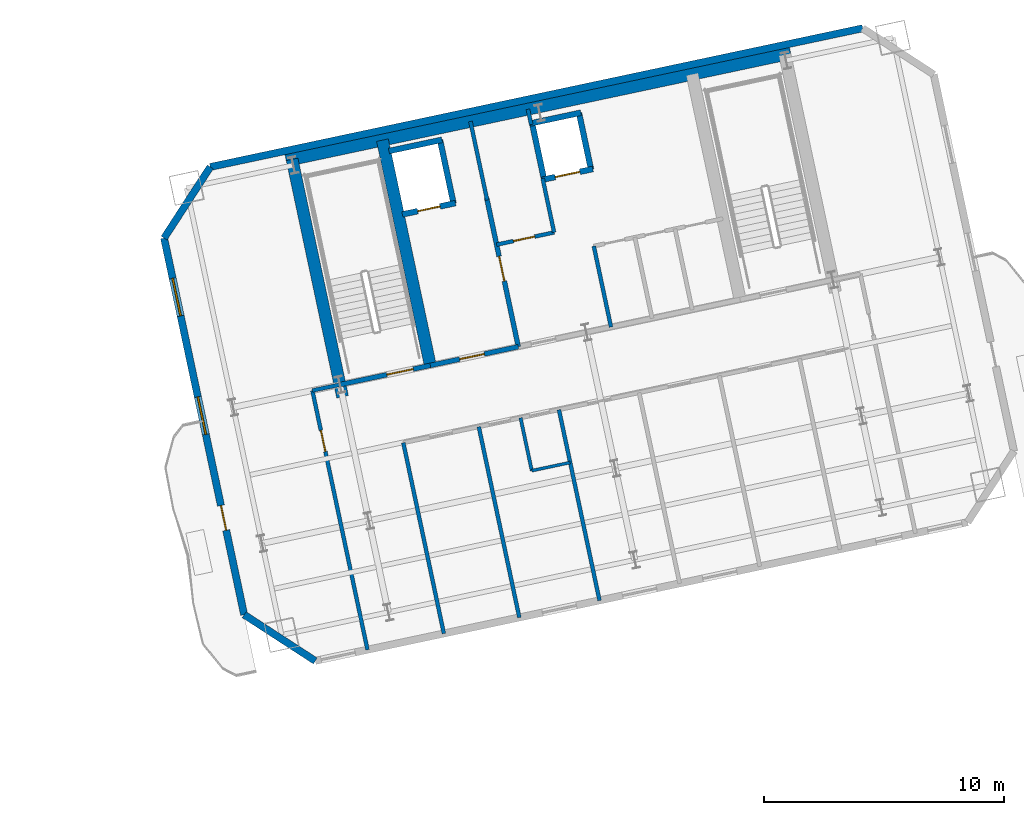
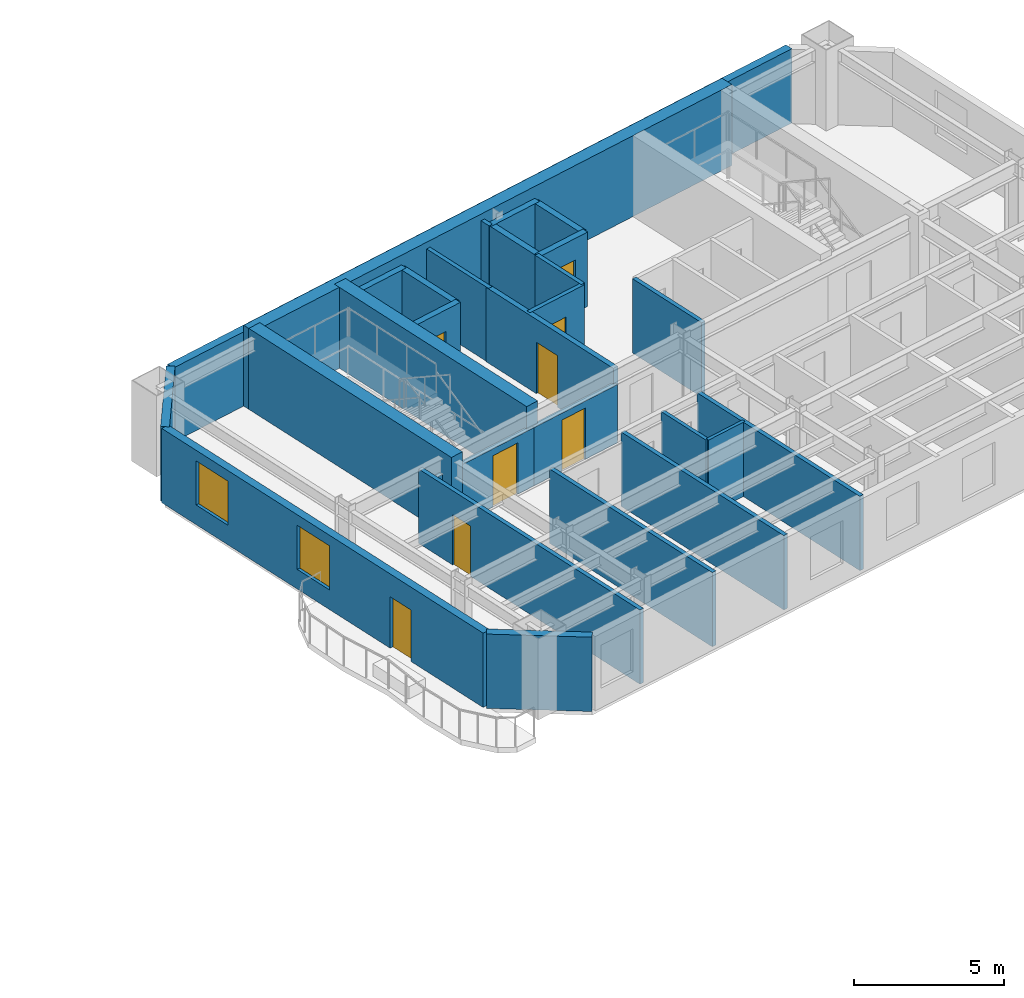
# One storey, part 7 of 13: 29 walls, 8 doors, 2 windows, 10 openings.
"""IFC4 building model written with IfcOpenShell, lengths in metres."""

from ifc_helpers import new_model, si_unit, direction, frame, frame_2d, origin, place, context, subcontext, project, spatial, rectangle, extrude, material, layer, layer_set, type_object, element, fill, save


model = new_model("IFC4")

# Units and contexts
model_context = context("Model", 3, precision=1e-05, world=origin(), true_north=direction((0.0, 1.0)))
body_context = subcontext(model_context, "Body", "Model", "MODEL_VIEW")
ifc_project = project(units=[si_unit("LENGTHUNIT", "METRE"), si_unit("AREAUNIT", "SQUARE_METRE"), si_unit("VOLUMEUNIT", "CUBIC_METRE"), si_unit("PLANEANGLEUNIT", "RADIAN"), si_unit("MASSUNIT", "GRAM", prefix="KILO")], contexts=[model_context])

# Site, building, storey
site_placement = place(None, origin())
site = spatial("IfcSite", under=ifc_project, at=site_placement, CompositionType="ELEMENT")
building_placement = place(site_placement, origin())
building = spatial("IfcBuilding", under=site, at=building_placement, Name="Haevon Station Towers", CompositionType="ELEMENT")
storey_placement = place(building_placement, frame((0.0, 0.0, 149.39990234375)))
storey = spatial("IfcBuildingStorey", under=building, at=storey_placement, Name="L40", CompositionType="ELEMENT", Elevation=149.39990234375)

# Wall, opening, door
ifc_material_1 = material(Name="Gypsum board on steel stud", Category="steel")
ifc_layer_1 = layer(ifc_material_1, 0.199951171875)
ifc_layer_set_1 = layer_set([ifc_layer_1], Name="Gypsum board on steel stud")
wall_type_1 = type_object("IfcWallType", Name="WL-COR200", PredefinedType="PARTITIONING", material=ifc_layer_set_1)
wall_1_placement = place(storey_placement, frame((98.75244140625, 37.4423828125, 0.0), z_axis=(0.0, 0.0, 1.0), x_axis=(0.978143537786, 0.207930804564, 0.0)))
wall_1 = element("IfcWall", 1, at=wall_1_placement, inside=storey, type_object=wall_type_1, Name="WL-ST-ST3-L40", PredefinedType="PARTITIONING", context=body_context, shape_type="SweptSolid", body=[
    extrude(rectangle(XDim=3.85009765625, YDim=0.199951171875, at=frame_2d((1.925048828125, 0.0))), origin(), (0.0, 0.0, 1.0), 2.380126953125),
])
opening_1_placement = place(wall_1_placement, frame((2.0, 0.0, 0.0)))
opening_1 = element("IfcOpeningElement", 2, at=opening_1_placement, cuts=wall_1, Name="Opening DR-ST-ST3-L40", PredefinedType="OPENING", context=body_context, shape_type="SweptSolid", body=[
    extrude(rectangle(XDim=1.1201171875, YDim=2.10009765625, at=frame_2d((0.56005859375, 1.050048828125))), frame((0.0, 0.10986328125, 0.0), z_axis=(0.0, -1.0, 0.0), x_axis=(1.0, 0.0, 0.0)), (0.0, 0.0, 1.0), 0.219970703125),
])
ifc_material_2 = material(Name="Engineered oak timber", Category="wood")
door_type_1 = type_object("IfcDoorType", Name="DR-ST-1120", OperationType="NOTDEFINED", PredefinedType="DOOR", material=ifc_material_2)
door_1_placement = place(opening_1_placement, origin())
door_1 = element("IfcDoor", 3, at=door_1_placement, inside=storey, type_object=door_type_1, Name="L40 Escape Stair ST3 Fire Door", OperationType="SINGLE_SWING_LEFT", OverallHeight=2.10009765625, OverallWidth=1.1201171875, PredefinedType="DOOR", context=body_context, shape_type="SweptSolid", body=[
    extrude(rectangle(XDim=1.1201171875, YDim=2.10009765625, at=frame_2d((0.56005859375, 1.050048828125))), frame((0.0, 0.02490234375, 0.0), z_axis=(0.0, -1.0, 0.0), x_axis=(1.0, 0.0, 0.0)), (0.0, 0.0, 1.0), 0.050048828125),
])
fill(opening_1, door_1)

wall_2_placement = place(storey_placement, frame((106.186279296875, 39.0224609375, 0.0), z_axis=(0.0, 0.0, 1.0), x_axis=(-0.207916691923, 0.978146537703, 0.0)))
wall_2 = element("IfcWall", 4, at=wall_2_placement, inside=storey, type_object=wall_type_1, Name="WL-T2FFL-L40-E", PredefinedType="PARTITIONING", context=body_context, shape_type="SweptSolid", body=[
    extrude(rectangle(XDim=6.35009765625, YDim=0.199951171875, at=frame_2d((3.175048828125, 0.0))), origin(), (0.0, 0.0, 1.0), 3.030029296875),
])
opening_2_placement = place(wall_2_placement, frame((2.800048828125, 0.0, 0.0)))
opening_2 = element("IfcOpeningElement", 5, at=opening_2_placement, cuts=wall_2, Name="Opening DR-T2FFL-L40-E", PredefinedType="OPENING", context=body_context, shape_type="SweptSolid", body=[
    extrude(rectangle(XDim=1.050048828125, YDim=2.10009765625, at=frame_2d((0.52490234375, 1.050048828125))), frame((0.0, 0.10986328125, 0.0), z_axis=(0.0, -1.0, 0.0), x_axis=(1.0, 0.0, 0.0)), (0.0, 0.0, 1.0), 0.219970703125),
])
door_type_2 = type_object("IfcDoorType", Name="DR-FD60-1050", OperationType="NOTDEFINED", PredefinedType="DOOR", material=ifc_material_2)
door_2_placement = place(opening_2_placement, origin())
door_2 = element("IfcDoor", 6, at=door_2_placement, inside=storey, type_object=door_type_2, Name="L40 Tower 2 Firefighting Lift Lobby Door E", OperationType="SINGLE_SWING_LEFT", OverallHeight=2.10009765625, OverallWidth=1.050048828125, PredefinedType="DOOR", context=body_context, shape_type="SweptSolid", body=[
    extrude(rectangle(XDim=1.050048828125, YDim=2.10009765625, at=frame_2d((0.52490234375, 1.050048828125))), frame((0.0, 0.02490234375, 0.0), z_axis=(0.0, -1.0, 0.0), x_axis=(1.0, 0.0, 0.0)), (0.0, 0.0, 1.0), 0.050048828125),
])
fill(opening_2, door_2)

wall_3_placement = place(storey_placement, frame((102.518310546875, 38.242919921875, 0.0), z_axis=(0.0, 0.0, 1.0), x_axis=(0.978153555683, 0.20788367301, 0.0)))
wall_3 = element("IfcWall", 7, at=wall_3_placement, inside=storey, type_object=wall_type_1, Name="WL-T2FFL-L40-S", PredefinedType="PARTITIONING", context=body_context, shape_type="SweptSolid", body=[
    extrude(rectangle(XDim=3.75, YDim=0.199951171875, at=frame_2d((1.875, 0.0))), origin(), (0.0, 0.0, 1.0), 2.380126953125),
])
opening_3_placement = place(wall_3_placement, frame((1.25, 0.0, 0.0)))
opening_3 = element("IfcOpeningElement", 8, at=opening_3_placement, cuts=wall_3, Name="Opening DR-T2FFL-L40-S", PredefinedType="OPENING", context=body_context, shape_type="SweptSolid", body=[
    extrude(rectangle(XDim=1.050048828125, YDim=2.10009765625, at=frame_2d((0.52490234375, 1.050048828125))), frame((0.0, 0.10986328125, 0.0), z_axis=(0.0, -1.0, 0.0), x_axis=(1.0, 0.0, 0.0)), (0.0, 0.0, 1.0), 0.219970703125),
])
door_3_placement = place(opening_3_placement, origin())
door_3 = element("IfcDoor", 9, at=door_3_placement, inside=storey, type_object=door_type_2, Name="L40 Tower 2 Firefighting Lift Lobby Door S", OperationType="SINGLE_SWING_RIGHT", OverallHeight=2.10009765625, OverallWidth=1.050048828125, PredefinedType="DOOR", context=body_context, shape_type="SweptSolid", body=[
    extrude(rectangle(XDim=1.050048828125, YDim=2.10009765625, at=frame_2d((0.52490234375, 1.050048828125))), frame((0.0, 0.02490234375, 0.0), z_axis=(0.0, -1.0, 0.0), x_axis=(1.0, 0.0, 0.0)), (0.0, 0.0, 1.0), 0.050048828125),
])
fill(opening_3, door_3)

# Walls
ifc_material_3 = material(Name="Concrete C60/75", Category="concrete")
ifc_layer_2 = layer(ifc_material_3, 0.5)
ifc_layer_set_2 = layer_set([ifc_layer_2], Name="Concrete C60/75")
wall_type_2 = type_object("IfcWallType", Name="WL-CR500", PredefinedType="SHEAR", material=ifc_layer_set_2)
wall_4_placement = place(storey_placement, frame((96.511962890625, 46.78076171875, 0.0), z_axis=(0.0, 0.0, 1.0), x_axis=(0.978148546782, 0.207907239961, 0.0)))
element("IfcWall", 10, at=wall_4_placement, inside=storey, type_object=wall_type_2, Name="WL-T2CR-L40-N", PredefinedType="SHEAR", context=body_context, shape_type="SweptSolid", body=[
    extrude(rectangle(XDim=21.499755859375, YDim=0.5, at=frame_2d((10.75, 0.0))), origin(), (0.0, 0.0, 1.0), 3.300048828125),
])
wall_5_placement = place(storey_placement, frame((98.8603515625, 36.933837890625, 0.0), z_axis=(0.0, 0.0, 1.0), x_axis=(-0.20790924889, 0.978148119778, 0.0)))
element("IfcWall", 11, at=wall_5_placement, inside=storey, type_object=wall_type_2, Name="WL-T2CR-L40-W", PredefinedType="SHEAR", context=body_context, shape_type="SweptSolid", body=[
    extrude(rectangle(XDim=10.119873046875, YDim=0.5, at=frame_2d((5.06005859375, 0.0))), origin(), (0.0, 0.0, 1.0), 3.300048828125),
])
wall_6_placement = place(storey_placement, frame((102.518310546875, 38.242919921875, 0.0), z_axis=(0.0, 0.0, 1.0), x_axis=(-0.207927495108, 0.978144241295, 0.0)))
element("IfcWall", 12, at=wall_6_placement, inside=storey, type_object=wall_type_2, Name="WL-T2CR-L40-M1", PredefinedType="SHEAR", context=body_context, shape_type="SweptSolid", body=[
    extrude(rectangle(XDim=9.599853515625, YDim=0.5, at=frame_2d((4.7998046875, 0.0))), origin(), (0.0, 0.0, 1.0), 3.300048828125),
])
ifc_material_4 = material(Name="Precast concrete C45/55", Category="concrete")
ifc_layer_3 = layer(ifc_material_4, 0.300048828125)
ifc_layer_set_3 = layer_set([ifc_layer_3], Name="Precast concrete C45/55")
wall_type_3 = type_object("IfcWallType", Name="WL-EXT-PIER300", PredefinedType="SOLIDWALL", material=ifc_layer_set_3)
wall_7_placement = place(storey_placement, frame((97.72412109375, 25.927001953125, 0.0), z_axis=(0.0, 0.0, 1.0), x_axis=(-0.838672309694, 0.544636352948, 0.0)))
element("IfcWall", 13, at=wall_7_placement, inside=storey, type_object=wall_type_3, Name="WL-T2-L40-SWC", PredefinedType="SOLIDWALL", context=body_context, shape_type="SweptSolid", body=[
    extrude(rectangle(XDim=3.535400390625, YDim=0.300048828125, at=frame_2d((1.767578125, 0.0))), origin(), (0.0, 0.0, 1.0), 3.030029296875),
])

# Wall, openings, door, windows
wall_8_placement = place(storey_placement, frame((94.759033203125, 27.8525390625, 0.0), z_axis=(0.0, 0.0, 1.0), x_axis=(-0.207922793235, 0.978145240776, 0.0)))
wall_8 = element("IfcWall", 14, at=wall_8_placement, inside=storey, type_object=wall_type_3, Name="WL-T2-L40-W", PredefinedType="SOLIDWALL", context=body_context, shape_type="SweptSolid", body=[
    extrude(rectangle(XDim=16.050048828125, YDim=0.300048828125, at=frame_2d((8.02490234375, 0.0))), origin(), (0.0, 0.0, 1.0), 3.030029296875),
])
opening_4_placement = place(wall_8_placement, frame((3.60009765625, 0.0, 0.0)))
opening_4 = element("IfcOpeningElement", 15, at=opening_4_placement, cuts=wall_8, Name="Opening DR-T2-SCAL-L40-W", PredefinedType="OPENING", context=body_context, shape_type="SweptSolid", body=[
    extrude(rectangle(XDim=1.050048828125, YDim=2.10009765625, at=frame_2d((0.52490234375, 1.050048828125))), frame((0.0, 0.159912109375, 0.0), z_axis=(0.0, -1.0, 0.0), x_axis=(1.0, 0.0, 0.0)), (0.0, 0.0, 1.0), 0.320068359375),
])
opening_5_placement = place(wall_8_placement, frame((7.683837890625, 0.0, 0.800048828125)))
opening_5 = element("IfcOpeningElement", 16, at=opening_5_placement, cuts=wall_8, Name="Opening WN-END160", PredefinedType="OPENING", context=body_context, shape_type="SweptSolid", body=[
    extrude(rectangle(XDim=1.60009765625, YDim=1.800048828125, at=frame_2d((0.800048828125, 0.89990234375))), frame((0.0, 0.159912109375, 0.0), z_axis=(0.0, -1.0, 0.0), x_axis=(1.0, 0.0, 0.0)), (0.0, 0.0, 1.0), 0.320068359375),
])
opening_6_placement = place(wall_8_placement, frame((12.732177734375, 0.0, 0.800048828125)))
opening_6 = element("IfcOpeningElement", 17, at=opening_6_placement, cuts=wall_8, Name="Opening WN-END160", PredefinedType="OPENING", context=body_context, shape_type="SweptSolid", body=[
    extrude(rectangle(XDim=1.60009765625, YDim=1.800048828125, at=frame_2d((0.800048828125, 0.89990234375))), frame((0.0, 0.159912109375, 0.0), z_axis=(0.0, -1.0, 0.0), x_axis=(1.0, 0.0, 0.0)), (0.0, 0.0, 1.0), 0.320068359375),
])
ifc_material_5 = material(Name="Thermally broken anodised aluminium and laminated safety glass", Category="aluminium")
door_type_3 = type_object("IfcDoorType", Name="DR-BALC-1050", OperationType="NOTDEFINED", PredefinedType="DOOR", material=ifc_material_5)
door_4_placement = place(opening_4_placement, origin())
door_4 = element("IfcDoor", 18, at=door_4_placement, inside=storey, type_object=door_type_3, Name="Tower 2 L40 West Scalloped Balcony Door", OperationType="SINGLE_SWING_LEFT", OverallHeight=2.10009765625, OverallWidth=1.050048828125, PredefinedType="DOOR", context=body_context, shape_type="SweptSolid", body=[
    extrude(rectangle(XDim=1.050048828125, YDim=2.10009765625, at=frame_2d((0.52490234375, 1.050048828125))), frame((0.0, 0.02490234375, 0.0), z_axis=(0.0, -1.0, 0.0), x_axis=(1.0, 0.0, 0.0)), (0.0, 0.0, 1.0), 0.050048828125),
])
fill(opening_4, door_4)
ifc_material_6 = material(Name="Low-E triple glazing in thermally broken aluminium", Category="aluminium")
window_type = type_object("IfcWindowType", Name="WN-END160", PartitioningType="SINGLE_PANEL", PredefinedType="WINDOW", material=ifc_material_6)
window_1_placement = place(opening_5_placement, origin())
window_1 = element("IfcWindow", 19, at=window_1_placement, inside=storey, type_object=window_type, Name="WN-T2-L40-W01", OverallHeight=1.800048828125, OverallWidth=1.60009765625, PartitioningType="SINGLE_PANEL", PredefinedType="WINDOW", context=body_context, shape_type="SweptSolid", body=[
    extrude(rectangle(XDim=1.60009765625, YDim=1.800048828125, at=frame_2d((0.800048828125, 0.89990234375))), frame((0.0, 0.030029296875, 0.0), z_axis=(0.0, -1.0, 0.0), x_axis=(1.0, 0.0, 0.0)), (0.0, 0.0, 1.0), 0.06005859375),
])
fill(opening_5, window_1)
window_2_placement = place(opening_6_placement, origin())
window_2 = element("IfcWindow", 20, at=window_2_placement, inside=storey, type_object=window_type, Name="WN-T2-L40-W02", OverallHeight=1.800048828125, OverallWidth=1.60009765625, PartitioningType="SINGLE_PANEL", PredefinedType="WINDOW", context=body_context, shape_type="SweptSolid", body=[
    extrude(rectangle(XDim=1.60009765625, YDim=1.800048828125, at=frame_2d((0.800048828125, 0.89990234375))), frame((0.0, 0.030029296875, 0.0), z_axis=(0.0, -1.0, 0.0), x_axis=(1.0, 0.0, 0.0)), (0.0, 0.0, 1.0), 0.06005859375),
])
fill(opening_6, window_2)

# Walls
wall_9_placement = place(storey_placement, frame((91.421875, 43.5517578125, 0.0), z_axis=(0.0, 0.0, 1.0), x_axis=(0.544604812064, 0.838692791597, 0.0)))
element("IfcWall", 21, at=wall_9_placement, inside=storey, type_object=wall_type_3, Name="WL-T2-L40-NWC", PredefinedType="SOLIDWALL", context=body_context, shape_type="SweptSolid", body=[
    extrude(rectangle(XDim=3.53564453125, YDim=0.300048828125, at=frame_2d((1.767822265625, 0.0))), origin(), (0.0, 0.0, 1.0), 3.030029296875),
])
wall_10_placement = place(storey_placement, frame((93.347412109375, 46.51708984375, 0.0), z_axis=(0.0, 0.0, 1.0), x_axis=(0.978148962338, 0.207905284872, 0.0)))
element("IfcWall", 22, at=wall_10_placement, inside=storey, type_object=wall_type_3, Name="WL-T2-L40-N", PredefinedType="SOLIDWALL", context=body_context, shape_type="SweptSolid", body=[
    extrude(rectangle(XDim=27.800048828125, YDim=0.300048828125, at=frame_2d((13.89990234375, 0.0))), origin(), (0.0, 0.0, 1.0), 3.030029296875),
])
ifc_layer_4 = layer(ifc_material_1, 0.125)
ifc_layer_set_4 = layer_set([ifc_layer_4], Name="Gypsum board on steel stud")
wall_type_4 = type_object("IfcWallType", Name="WL-PRT125", PredefinedType="PARTITIONING", material=ifc_layer_set_4)
wall_11_placement = place(storey_placement, frame((106.747802734375, 33.8564453125, 0.0), z_axis=(0.0, 0.0, 1.0), x_axis=(0.978156954636, 0.207867679299, 0.0)))
element("IfcWall", 23, at=wall_11_placement, inside=storey, type_object=wall_type_4, Name="WL-T2PT-L40-07", PredefinedType="PARTITIONING", context=body_context, shape_type="SweptSolid", body=[
    extrude(rectangle(XDim=1.635986328125, YDim=0.125, at=frame_2d((0.81787109375, 0.0))), origin(), (0.0, 0.0, 1.0), 3.030029296875),
])
ifc_layer_5 = layer(ifc_material_1, 0.139892578125)
ifc_layer_set_5 = layer_set([ifc_layer_5], Name="Gypsum board on steel stud")
wall_type_5 = type_object("IfcWallType", Name="WL-PRT140", PredefinedType="PARTITIONING", material=ifc_layer_set_5)
wall_12_placement = place(storey_placement, frame((106.747802734375, 33.8564453125, 0.0), z_axis=(0.0, 0.0, 1.0), x_axis=(-0.207913264065, 0.978147266328, 0.0)))
element("IfcWall", 24, at=wall_12_placement, inside=storey, type_object=wall_type_5, Name="WL-T2PT-L40-08", PredefinedType="PARTITIONING", context=body_context, shape_type="SweptSolid", body=[
    extrude(rectangle(XDim=2.249755859375, YDim=0.139892578125, at=frame_2d((1.125, 0.0))), origin(), (0.0, 0.0, 1.0), 3.030029296875),
])
ifc_layer_6 = layer(ifc_material_1, 0.159912109375)
ifc_layer_set_6 = layer_set([ifc_layer_6], Name="Gypsum board on steel stud")
wall_type_6 = type_object("IfcWallType", Name="WL-PRT160", PredefinedType="PARTITIONING", material=ifc_layer_set_6)
wall_13_placement = place(storey_placement, frame((104.88671875, 45.135986328125, 0.0), z_axis=(0.0, 0.0, 1.0), x_axis=(-0.207846553267, 0.978161443881, 0.0)))
element("IfcWall", 25, at=wall_13_placement, inside=storey, type_object=wall_type_6, Name="WL-T2CW-L40-01", PredefinedType="PARTITIONING", context=body_context, shape_type="SweptSolid", body=[
    extrude(rectangle(XDim=3.35009765625, YDim=0.159912109375, at=frame_2d((1.675048828125, 0.0))), origin(), (0.0, 0.0, 1.0), 3.030029296875),
])

# Wall, opening, door
wall_14_placement = place(storey_placement, frame((105.28173828125, 43.277587890625, 0.0), z_axis=(0.0, 0.0, 1.0), x_axis=(0.978156824814, 0.207868290196, 0.0)))
wall_14 = element("IfcWall", 26, at=wall_14_placement, inside=storey, type_object=wall_type_6, Name="WL-T2CW-L40-02", PredefinedType="PARTITIONING", context=body_context, shape_type="SweptSolid", body=[
    extrude(rectangle(XDim=2.449951171875, YDim=0.159912109375, at=frame_2d((1.22509765625, 0.0))), origin(), (0.0, 0.0, 1.0), 3.030029296875),
])
opening_7_placement = place(wall_14_placement, frame((0.719970703125, 0.0, 0.0)))
opening_7 = element("IfcOpeningElement", 27, at=opening_7_placement, cuts=wall_14, Name="Opening DR-WL-T2CW-L40-02-1", PredefinedType="OPENING", context=body_context, shape_type="SweptSolid", body=[
    extrude(rectangle(XDim=0.89990234375, YDim=2.10009765625, at=frame_2d((0.449951171875, 1.050048828125))), frame((0.0, 0.08984375, 0.0), z_axis=(0.0, -1.0, 0.0), x_axis=(1.0, 0.0, 0.0)), (0.0, 0.0, 1.0), 0.179931640625),
])
door_type_4 = type_object("IfcDoorType", Name="DR-FD60-900", OperationType="NOTDEFINED", PredefinedType="DOOR", material=ifc_material_2)
door_5_placement = place(opening_7_placement, origin())
door_5 = element("IfcDoor", 28, at=door_5_placement, inside=storey, type_object=door_type_4, Name="L40 Tower 2 Core Room Door 2-1", OperationType="SINGLE_SWING_LEFT", OverallHeight=2.10009765625, OverallWidth=0.89990234375, PredefinedType="DOOR", context=body_context, shape_type="SweptSolid", body=[
    extrude(rectangle(XDim=0.89990234375, YDim=2.10009765625, at=frame_2d((0.449951171875, 1.050048828125))), frame((0.0, 0.02490234375, 0.0), z_axis=(0.0, -1.0, 0.0), x_axis=(1.0, 0.0, 0.0)), (0.0, 0.0, 1.0), 0.050048828125),
])
fill(opening_7, door_5)

# Walls
wall_15_placement = place(storey_placement, frame((107.67822265625, 43.786865234375, 0.0), z_axis=(0.0, 0.0, 1.0), x_axis=(-0.207839712757, 0.978162897375, 0.0)))
element("IfcWall", 29, at=wall_15_placement, inside=storey, type_object=wall_type_6, Name="WL-T2CW-L40-03", PredefinedType="PARTITIONING", context=body_context, shape_type="SweptSolid", body=[
    extrude(rectangle(XDim=2.300048828125, YDim=0.159912109375, at=frame_2d((1.14990234375, 0.0))), origin(), (0.0, 0.0, 1.0), 3.030029296875),
])
wall_16_placement = place(storey_placement, frame((106.721923828125, 48.286376953125, 0.0), z_axis=(0.0, 0.0, 1.0), x_axis=(-0.208092352933, 0.978109182377, 0.0)))
element("IfcWall", 30, at=wall_16_placement, inside=storey, type_object=wall_type_6, Name="WL-T2CW-L40-04", PredefinedType="PARTITIONING", context=body_context, shape_type="SweptSolid", body=[
    extrude(rectangle(XDim=0.64990234375, YDim=0.159912109375, at=frame_2d((0.324951171875, 0.0))), origin(), (0.0, 0.0, 1.0), 3.030029296875),
])
wall_17_placement = place(storey_placement, frame((110.050048828125, 39.84375, 0.0), z_axis=(0.0, 0.0, 1.0), x_axis=(-0.207900225061, 0.978150037785, 0.0)))
element("IfcWall", 31, at=wall_17_placement, inside=storey, type_object=wall_type_6, Name="WL-T2CW-L40-05", PredefinedType="PARTITIONING", context=body_context, shape_type="SweptSolid", body=[
    extrude(rectangle(XDim=3.4501953125, YDim=0.159912109375, at=frame_2d((1.72509765625, 0.0))), origin(), (0.0, 0.0, 1.0), 3.030029296875),
])
wall_18_placement = place(storey_placement, frame((103.084228515625, 27.06640625, 0.0), z_axis=(0.0, 0.0, 1.0), x_axis=(-0.20790041837, 0.978149996699, 0.0)))
element("IfcWall", 32, at=wall_18_placement, inside=storey, type_object=wall_type_6, Name="WL-T2PT-L40-01", PredefinedType="PARTITIONING", context=body_context, shape_type="SweptSolid", body=[
    extrude(rectangle(XDim=8.1298828125, YDim=0.159912109375, at=frame_2d((4.06494140625, 0.0))), origin(), (0.0, 0.0, 1.0), 3.030029296875),
])
wall_19_placement = place(storey_placement, frame((97.60302734375, 37.197998046875, 0.0), z_axis=(0.0, 0.0, 1.0), x_axis=(0.978135611929, 0.207968085714, 0.0)))
element("IfcWall", 33, at=wall_19_placement, inside=storey, type_object=wall_type_6, Name="WL-T2PT-L40-02", PredefinedType="PARTITIONING", context=body_context, shape_type="SweptSolid", body=[
    extrude(rectangle(XDim=1.175048828125, YDim=0.159912109375, at=frame_2d((0.58740234375, 0.0))), origin(), (0.0, 0.0, 1.0), 2.380126953125),
])

# Wall, opening, door
wall_20_placement = place(storey_placement, frame((99.900390625, 26.3896484375, 0.0), z_axis=(0.0, 0.0, 1.0), x_axis=(-0.207909755675, 0.978148012059, 0.0)))
wall_20 = element("IfcWall", 34, at=wall_20_placement, inside=storey, type_object=wall_type_6, Name="WL-T2PT-L40-04", PredefinedType="PARTITIONING", context=body_context, shape_type="SweptSolid", body=[
    extrude(rectangle(XDim=11.0498046875, YDim=0.159912109375, at=frame_2d((5.52490234375, 0.0))), origin(), (0.0, 0.0, 1.0), 3.030029296875),
])
opening_8_placement = place(wall_20_placement, frame((8.449951171875, 0.0, 0.0)))
opening_8 = element("IfcOpeningElement", 35, at=opening_8_placement, cuts=wall_20, Name="Opening DR-WL-T2PT-L40-04-01", PredefinedType="OPENING", context=body_context, shape_type="SweptSolid", body=[
    extrude(rectangle(XDim=0.89990234375, YDim=2.050048828125, at=frame_2d((0.449951171875, 1.02490234375))), frame((0.0, 0.08984375, 0.0), z_axis=(0.0, -1.0, 0.0), x_axis=(1.0, 0.0, 0.0)), (0.0, 0.0, 1.0), 0.179931640625),
])
door_type_5 = type_object("IfcDoorType", Name="DR-INT-900", OperationType="NOTDEFINED", PredefinedType="DOOR", material=ifc_material_2)
door_6_placement = place(opening_8_placement, origin())
door_6 = element("IfcDoor", 36, at=door_6_placement, inside=storey, type_object=door_type_5, Name="L40 Tower 2 Room Door 4-1", OperationType="SINGLE_SWING_LEFT", OverallHeight=2.050048828125, OverallWidth=0.89990234375, PredefinedType="DOOR", context=body_context, shape_type="SweptSolid", body=[
    extrude(rectangle(XDim=0.89990234375, YDim=2.050048828125, at=frame_2d((0.449951171875, 1.02490234375))), frame((0.0, 0.02490234375, 0.0), z_axis=(0.0, -1.0, 0.0), x_axis=(1.0, 0.0, 0.0)), (0.0, 0.0, 1.0), 0.050048828125),
])
fill(opening_8, door_6)

# Walls
for number, where, z_axis, x_axis, name in (
    (37, (106.229248046875, 27.73486328125, 0.0), (0.0, 0.0, 1.0), (-0.207923042997, 0.978145187685, 0.0), "WL-T2PT-L40-06"),
    (38, (109.57080078125, 28.445068359375, 0.0), (0.0, 0.0, 1.0), (-0.207923042997, 0.978145187685, 0.0), "WL-T2PT-L40-09"),
):
    element("IfcWall", number, at=place(storey_placement, frame(where, z_axis=z_axis, x_axis=x_axis)), inside=storey, type_object=wall_type_6, Name=name, PredefinedType="PARTITIONING", context=body_context, shape_type="SweptSolid", body=[
        extrude(rectangle(XDim=8.130126953125, YDim=0.159912109375, at=frame_2d((4.06494140625, 0.0))), origin(), (0.0, 0.0, 1.0), 3.030029296875),
    ])

# Wall, opening, door
ifc_material_7 = material(Name="Concrete C40/50", Category="concrete")
ifc_layer_7 = layer(ifc_material_7, 0.239990234375)
ifc_layer_set_7 = layer_set([ifc_layer_7], Name="Concrete C40/50")
wall_type_7 = type_object("IfcWallType", Name="WL-SHF240", PredefinedType="PARTITIONING", material=ifc_layer_set_7)
wall_21_placement = place(storey_placement, frame((101.353759765625, 44.538330078125, 0.0), z_axis=(0.0, 0.0, 1.0), x_axis=(0.978141002414, 0.207942731049, 0.0)))
wall_21 = element("IfcWall", 39, at=wall_21_placement, inside=storey, type_object=wall_type_7, Name="WL-SHF-FL2-L40", PredefinedType="PARTITIONING", context=body_context, shape_type="SweptSolid", body=[
    extrude(rectangle(XDim=2.260009765625, YDim=0.239990234375, at=frame_2d((1.1298828125, 0.0))), origin(), (0.0, 0.0, 1.0), 3.030029296875),
])
opening_9_placement = place(wall_21_placement, frame((0.655029296875, 0.0, 0.0)))
opening_9 = element("IfcOpeningElement", 40, at=opening_9_placement, cuts=wall_21, Name="Opening LD-FL2-L40", PredefinedType="OPENING", context=body_context, shape_type="SweptSolid", body=[
    extrude(rectangle(XDim=0.949951171875, YDim=2.14990234375, at=frame_2d((0.47509765625, 1.074951171875))), frame((0.0, 0.1298828125, 0.0), z_axis=(0.0, -1.0, 0.0), x_axis=(1.0, 0.0, 0.0)), (0.0, 0.0, 1.0), 0.260009765625),
])
ifc_material_8 = material(Name="Stainless steel and rated core", Category="steel")
door_type_6 = type_object("IfcDoorType", Name="LD-FL950", OperationType="SLIDING_TO_LEFT", PredefinedType="DOOR", material=ifc_material_8)
door_7_placement = place(opening_9_placement, origin())
door_7 = element("IfcDoor", 41, at=door_7_placement, inside=storey, type_object=door_type_6, Name="L40 Lift FL2 Sliding Landing Door", OperationType="SLIDING_TO_LEFT", OverallHeight=2.14990234375, OverallWidth=0.949951171875, PredefinedType="DOOR", context=body_context, shape_type="SweptSolid", body=[
    extrude(rectangle(XDim=0.949951171875, YDim=2.14990234375, at=frame_2d((0.47509765625, 1.074951171875))), frame((0.0, 0.02490234375, 0.0), z_axis=(0.0, -1.0, 0.0), x_axis=(1.0, 0.0, 0.0)), (0.0, 0.0, 1.0), 0.050048828125),
])
fill(opening_9, door_7)

# Walls
wall_22_placement = place(storey_placement, frame((100.79248046875, 47.179443359375, 0.0), z_axis=(0.0, 0.0, 1.0), x_axis=(0.978162968872, 0.207839376268, 0.0)))
element("IfcWall", 42, at=wall_22_placement, inside=storey, type_object=wall_type_7, Name="WL-SHF-FL2-L40-N", PredefinedType="PARTITIONING", context=body_context, shape_type="SweptSolid", body=[
    extrude(rectangle(XDim=2.260009765625, YDim=0.239990234375, at=frame_2d((1.1298828125, 0.0))), origin(), (0.0, 0.0, 1.0), 3.030029296875),
])
wall_23_placement = place(storey_placement, frame((103.486328125, 44.99169921875, 0.0), z_axis=(0.0, 0.0, 1.0), x_axis=(-0.207978798957, 0.978133334052, 0.0)))
element("IfcWall", 43, at=wall_23_placement, inside=storey, type_object=wall_type_7, Name="WL-SHF-FL2-L40-E", PredefinedType="PARTITIONING", context=body_context, shape_type="SweptSolid", body=[
    extrude(rectangle(XDim=2.699951171875, YDim=0.239990234375, at=frame_2d((1.35009765625, 0.0))), origin(), (0.0, 0.0, 1.0), 3.030029296875),
])

# Wall, opening, door
wall_24_placement = place(storey_placement, frame((107.18115234375, 45.9814453125, 0.0), z_axis=(0.0, 0.0, 1.0), x_axis=(0.97813528961, 0.207969601673, 0.0)))
wall_24 = element("IfcWall", 44, at=wall_24_placement, inside=storey, type_object=wall_type_7, Name="WL-SHF-PL8-L40", PredefinedType="PARTITIONING", context=body_context, shape_type="SweptSolid", body=[
    extrude(rectangle(XDim=2.159912109375, YDim=0.239990234375, at=frame_2d((1.080078125, 0.0))), origin(), (0.0, 0.0, 1.0), 3.030029296875),
])
opening_10_placement = place(wall_24_placement, frame((0.554931640625, 0.0, 0.0)))
opening_10 = element("IfcOpeningElement", 45, at=opening_10_placement, cuts=wall_24, Name="Opening LD-PL8-L40", PredefinedType="OPENING", context=body_context, shape_type="SweptSolid", body=[
    extrude(rectangle(XDim=1.050048828125, YDim=2.14990234375, at=frame_2d((0.52490234375, 1.074951171875))), frame((0.0, 0.1298828125, 0.0), z_axis=(0.0, -1.0, 0.0), x_axis=(1.0, 0.0, 0.0)), (0.0, 0.0, 1.0), 0.260009765625),
])
door_type_7 = type_object("IfcDoorType", Name="LD-PL1050", OperationType="SLIDING_TO_LEFT", PredefinedType="DOOR", material=ifc_material_8)
door_8_placement = place(opening_10_placement, origin())
door_8 = element("IfcDoor", 46, at=door_8_placement, inside=storey, type_object=door_type_7, Name="L40 Lift PL8 Sliding Landing Door", OperationType="SLIDING_TO_LEFT", OverallHeight=2.14990234375, OverallWidth=1.050048828125, PredefinedType="DOOR", context=body_context, shape_type="SweptSolid", body=[
    extrude(rectangle(XDim=1.050048828125, YDim=2.14990234375, at=frame_2d((0.52490234375, 1.074951171875))), frame((0.0, 0.02490234375, 0.0), z_axis=(0.0, -1.0, 0.0), x_axis=(1.0, 0.0, 0.0)), (0.0, 0.0, 1.0), 0.050048828125),
])
fill(opening_10, door_8)

# Walls
wall_25_placement = place(storey_placement, frame((106.68212890625, 48.3291015625, 0.0), z_axis=(0.0, 0.0, 1.0), x_axis=(0.978158276388, 0.207861459473, 0.0)))
element("IfcWall", 47, at=wall_25_placement, inside=storey, type_object=wall_type_7, Name="WL-SHF-PL8-L40-N", PredefinedType="PARTITIONING", context=body_context, shape_type="SweptSolid", body=[
    extrude(rectangle(XDim=2.159912109375, YDim=0.239990234375, at=frame_2d((1.080078125, 0.0))), origin(), (0.0, 0.0, 1.0), 3.030029296875),
])
for number, where, z_axis, x_axis, name in (
    (48, (107.259521484375, 45.998046875, 0.0), (0.0, 0.0, 1.0), (-0.207917150959, 0.978146440129, 0.0), "WL-SHF-PL8-L40-W"),
    (49, (109.2158203125, 46.413818359375, 0.0), (0.0, 0.0, 1.0), (-0.207917150959, 0.978146440129, 0.0), "WL-SHF-PL8-L40-E"),
):
    element("IfcWall", number, at=place(storey_placement, frame(where, z_axis=z_axis, x_axis=x_axis)), inside=storey, type_object=wall_type_7, Name=name, PredefinedType="PARTITIONING", context=body_context, shape_type="SweptSolid", body=[
        extrude(rectangle(XDim=2.400146484375, YDim=0.239990234375, at=frame_2d((1.2001953125, 0.0))), origin(), (0.0, 0.0, 1.0), 3.030029296875),
    ])

save(model, "model.ifc")
